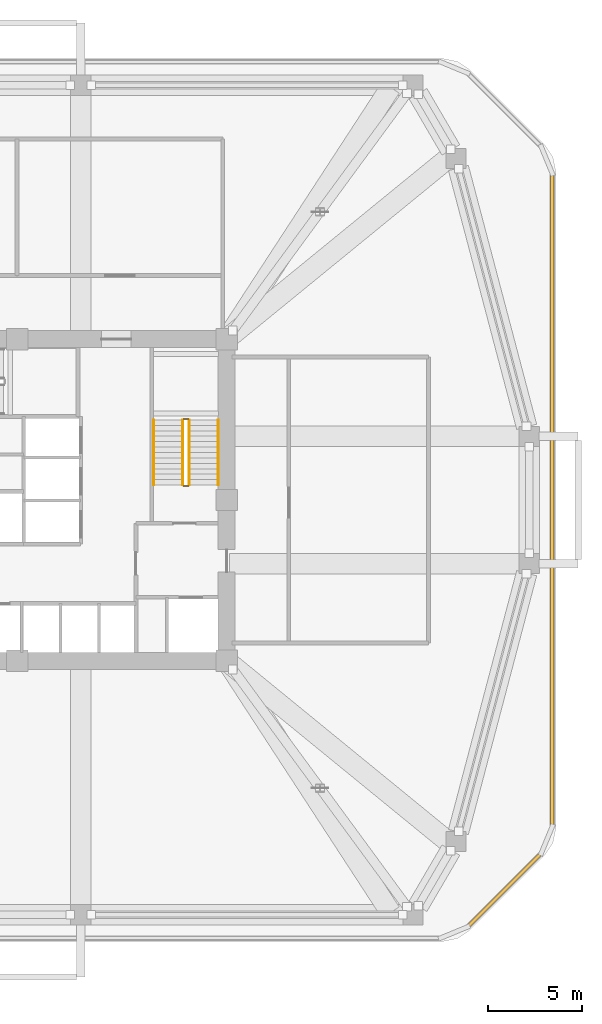
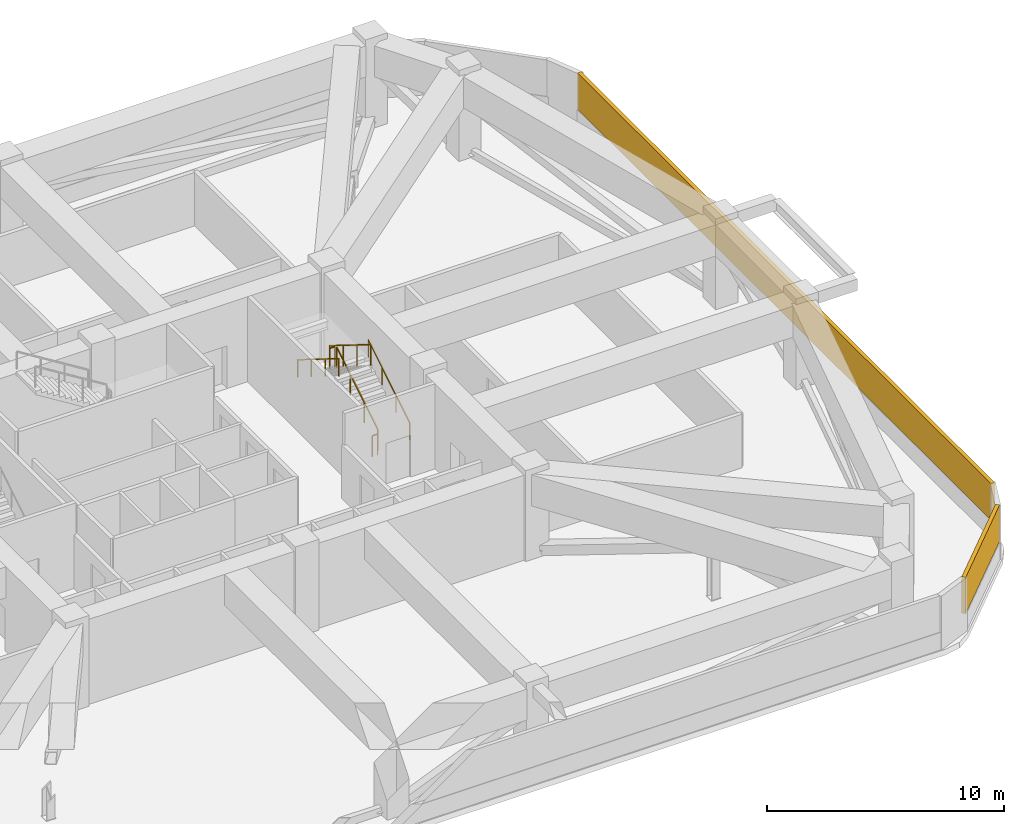
# One storey, part 9 of 10: 6 railings, 2 shading devices.
"""IFC4 building model written with IfcOpenShell, lengths in metres."""

from ifc_helpers import new_model, si_unit, derived_unit, direction, frame, origin, origin_2d, place, context, subcontext, project, spatial, rectangle, extrude, material, layer, layer_set, type_object, element, save


model = new_model("IFC4")

# Units and contexts
model_context = context("Model", 3, precision=1e-05, world=origin(), true_north=direction((0.0, 1.0)))
body_context = subcontext(model_context, "Body", "Model", "MODEL_VIEW")
ifc_project = project(units=[si_unit("LENGTHUNIT", "METRE"), si_unit("AREAUNIT", "SQUARE_METRE"), si_unit("VOLUMEUNIT", "CUBIC_METRE"), si_unit("PLANEANGLEUNIT", "RADIAN"), si_unit("MASSUNIT", "GRAM", prefix="KILO"), derived_unit("THERMALTRANSMITTANCEUNIT", [(si_unit("POWERUNIT", "WATT"), 1), (si_unit("LENGTHUNIT", "METRE"), -2), (si_unit("THERMODYNAMICTEMPERATUREUNIT", "KELVIN"), -1)])], contexts=[model_context])

# Site, building, storey
site_placement = place(None, origin())
site = spatial("IfcSite", under=ifc_project, at=site_placement, CompositionType="ELEMENT")
building_placement = place(site_placement, origin())
building = spatial("IfcBuilding", under=site, at=building_placement, Name="Koralith Skygarden Medical Center", CompositionType="ELEMENT")
storey_placement = place(building_placement, frame((0.0, 0.0, 70.739990234375)))
storey = spatial("IfcBuildingStorey", under=building, at=storey_placement, Name="L18", CompositionType="ELEMENT", Elevation=70.739990234375)

# Shading devices
ifc_material_1 = material(Name="Aluminium 6063-T6", Category="aluminium")
ifc_layer = layer(ifc_material_1, 0.179931640625)
ifc_layer_set = layer_set([ifc_layer], Name="Aluminium 6063-T6")
shading_device_type = type_object("IfcShadingDeviceType", Name="Mechanical Plant Acoustic Hurricane Louvre", PredefinedType="JALOUSIE", material=ifc_layer_set)
shading_device_1_placement = place(storey_placement, frame((63.05810546875, 5.0419921875, 0.89990234375), z_axis=(0.0, 0.0, 1.0), x_axis=(0.707106781187, 0.707106781187, 0.0)))
element("IfcShadingDevice", 1, at=shading_device_1_placement, inside=storey, type_object=shading_device_type, Name="L18 Plant Acoustic Hurricane Louvre SE", PredefinedType="JALOUSIE", context=body_context, shape_type="SweptSolid", body=[
    extrude(rectangle(XDim=5.548095703125, YDim=0.179931640625, at=origin_2d()), origin(), (0.0, 0.0, 1.0), 1.8701171875),
])
shading_device_2_placement = place(storey_placement, frame((65.6201171875, 25.89990234375, 0.89990234375), z_axis=(0.0, 0.0, 1.0), x_axis=(0.0, 1.0, 0.0)))
element("IfcShadingDevice", 2, at=shading_device_2_placement, inside=storey, type_object=shading_device_type, Name="L18 Plant Acoustic Hurricane Louvre E", PredefinedType="JALOUSIE", context=body_context, shape_type="SweptSolid", body=[
    extrude(rectangle(XDim=34.888916015625, YDim=0.179931640625, at=origin_2d()), origin(), (0.0, 0.0, 1.0), 1.8701171875),
])

# Railings
ifc_material_2 = material(Name="Steel ASTM A500 Grade C", Category="steel")
railing_type_1 = type_object("IfcRailingType", Name="Stair Flight Tubular Handrail 920", PredefinedType="HANDRAIL", material=ifc_material_2)
railing_1_placement = place(storey_placement, frame((47.75, 26.699951171875, 0.179931640625)))
element("IfcRailing", 3, at=railing_1_placement, inside=storey, type_object=railing_type_1, Name="L18 ST2 stair handrail 1", PredefinedType="HANDRAIL", context=body_context, shape_type="SweptSolid", body=[
    extrude(rectangle(XDim=0.050048828125, YDim=0.050048828125, at=origin_2d()), frame((0.0, 0.001708984375, 0.89599609375), z_axis=(0.0, 0.849621746706, 0.527392536471), x_axis=(-1.0, 0.0, 0.0)), (0.0, 0.0, 1.0), 4.091796875),
    extrude(rectangle(XDim=0.0419921875, YDim=0.0419921875, at=origin_2d()), origin(), (0.0, 0.0, 1.0), 0.867919921875),
    extrude(rectangle(XDim=0.0419921875, YDim=0.0419921875, at=origin_2d()), frame((0.0, 1.159912109375, 0.719970703125)), (0.0, 0.0, 1.0), 0.867919921875),
    extrude(rectangle(XDim=0.0419921875, YDim=0.0419921875, at=origin_2d()), frame((0.0, 2.320068359375, 1.440185546875)), (0.0, 0.0, 1.0), 0.867919921875),
    extrude(rectangle(XDim=0.0419921875, YDim=0.0419921875, at=origin_2d()), frame((0.0, 3.47998046875, 2.16015625)), (0.0, 0.0, 1.0), 0.867919921875),
])
railing_2_placement = place(storey_placement, frame((44.300048828125, 30.179931640625, 2.52001953125)))
element("IfcRailing", 4, at=railing_2_placement, inside=storey, type_object=railing_type_1, Name="L18 ST2 stair handrail 2", PredefinedType="HANDRAIL", context=body_context, shape_type="SweptSolid", body=[
    extrude(rectangle(XDim=0.050048828125, YDim=0.050048828125, at=origin_2d()), frame((0.0, -0.001708984375, 0.89599609375), z_axis=(0.0, -0.849648454892, 0.527349507537), x_axis=(1.0, 0.0, 0.0)), (0.0, 0.0, 1.0), 4.091796875),
    extrude(rectangle(XDim=0.0419921875, YDim=0.0419921875, at=origin_2d()), origin(), (0.0, 0.0, 1.0), 0.867919921875),
    extrude(rectangle(XDim=0.0419921875, YDim=0.0419921875, at=origin_2d()), frame((0.0, -1.159912109375, 0.719970703125)), (0.0, 0.0, 1.0), 0.867919921875),
    extrude(rectangle(XDim=0.0419921875, YDim=0.0419921875, at=origin_2d()), frame((0.0, -2.320068359375, 1.43994140625)), (0.0, 0.0, 1.0), 0.867919921875),
    extrude(rectangle(XDim=0.0419921875, YDim=0.0419921875, at=origin_2d()), frame((0.0, -3.47998046875, 2.159912109375)), (0.0, 0.0, 1.0), 0.867919921875),
])
railing_type_2 = type_object("IfcRailingType", Name="Stair Well Safety Guardrail 1100", PredefinedType="GUARDRAIL", material=ifc_material_2)
railing_3_placement = place(storey_placement, frame((46.199951171875, 26.699951171875, 0.179931640625)))
element("IfcRailing", 5, at=railing_3_placement, inside=storey, type_object=railing_type_2, Name="L18 ST2 stair guard 1", PredefinedType="GUARDRAIL", context=body_context, shape_type="SweptSolid", body=[
    extrude(rectangle(XDim=0.050048828125, YDim=0.050048828125, at=origin_2d()), frame((0.0, 0.001708984375, 1.076171875), z_axis=(0.0, 0.849621746706, 0.527392536471), x_axis=(-1.0, 0.0, 0.0)), (0.0, 0.0, 1.0), 4.091796875),
    extrude(rectangle(XDim=0.0419921875, YDim=0.0419921875, at=origin_2d()), origin(), (0.0, 0.0, 1.0), 1.048095703125),
    extrude(rectangle(XDim=0.0419921875, YDim=0.0419921875, at=origin_2d()), frame((0.0, 1.159912109375, 0.719970703125)), (0.0, 0.0, 1.0), 1.048095703125),
    extrude(rectangle(XDim=0.0419921875, YDim=0.0419921875, at=origin_2d()), frame((0.0, 2.320068359375, 1.440185546875)), (0.0, 0.0, 1.0), 1.048095703125),
    extrude(rectangle(XDim=0.0419921875, YDim=0.0419921875, at=origin_2d()), frame((0.0, 3.47998046875, 2.16015625)), (0.0, 0.0, 1.0), 1.048095703125),
])
railing_4_placement = place(storey_placement, frame((46.14990234375, 30.22998046875, 2.340087890625)))
element("IfcRailing", 6, at=railing_4_placement, inside=storey, type_object=railing_type_2, Name="L18 ST2 stair guard 2", PredefinedType="GUARDRAIL", context=body_context, shape_type="SweptSolid", body=[
    extrude(rectangle(XDim=0.050048828125, YDim=0.050048828125, at=origin_2d()), frame((-0.001953125, 0.0, 1.0751953125), z_axis=(-1.0, 0.0, 0.0), x_axis=(0.0, -1.0, 0.0)), (0.0, 0.0, 1.0), 0.24609375),
    extrude(rectangle(XDim=0.0419921875, YDim=0.0419921875, at=origin_2d()), origin(), (0.0, 0.0, 1.0), 1.048095703125),
    extrude(rectangle(XDim=0.0419921875, YDim=0.0419921875, at=origin_2d()), frame((-0.25, 0.0, 0.0)), (0.0, 0.0, 1.0), 1.048095703125),
])
railing_5_placement = place(storey_placement, frame((45.85009765625, 30.179931640625, 2.52001953125)))
element("IfcRailing", 7, at=railing_5_placement, inside=storey, type_object=railing_type_2, Name="L18 ST2 stair guard 3", PredefinedType="GUARDRAIL", context=body_context, shape_type="SweptSolid", body=[
    extrude(rectangle(XDim=0.050048828125, YDim=0.050048828125, at=origin_2d()), frame((0.0, -0.001708984375, 1.076171875), z_axis=(0.0, -0.849648454892, 0.527349507537), x_axis=(1.0, 0.0, 0.0)), (0.0, 0.0, 1.0), 4.091796875),
    extrude(rectangle(XDim=0.0419921875, YDim=0.0419921875, at=origin_2d()), origin(), (0.0, 0.0, 1.0), 1.048095703125),
    extrude(rectangle(XDim=0.0419921875, YDim=0.0419921875, at=origin_2d()), frame((0.0, -1.159912109375, 0.719970703125)), (0.0, 0.0, 1.0), 1.048095703125),
    extrude(rectangle(XDim=0.0419921875, YDim=0.0419921875, at=origin_2d()), frame((0.0, -2.320068359375, 1.43994140625)), (0.0, 0.0, 1.0), 1.048095703125),
    extrude(rectangle(XDim=0.0419921875, YDim=0.0419921875, at=origin_2d()), frame((0.0, -3.47998046875, 2.159912109375)), (0.0, 0.0, 1.0), 1.048095703125),
])
railing_6_placement = place(storey_placement, frame((46.14990234375, 26.64990234375, 0.0)))
element("IfcRailing", 8, at=railing_6_placement, inside=storey, type_object=railing_type_2, Name="L18 ST2 stair guard 4", PredefinedType="GUARDRAIL", context=body_context, shape_type="SweptSolid", body=[
    extrude(rectangle(XDim=0.050048828125, YDim=0.050048828125, at=origin_2d()), frame((-0.001953125, 0.0, 1.0751953125), z_axis=(-1.0, 0.0, 0.0), x_axis=(0.0, -1.0, 0.0)), (0.0, 0.0, 1.0), 0.24609375),
    extrude(rectangle(XDim=0.0419921875, YDim=0.0419921875, at=origin_2d()), origin(), (0.0, 0.0, 1.0), 1.048095703125),
    extrude(rectangle(XDim=0.0419921875, YDim=0.0419921875, at=origin_2d()), frame((-0.25, 0.0, 0.0)), (0.0, 0.0, 1.0), 1.048095703125),
])

save(model, "model.ifc")
